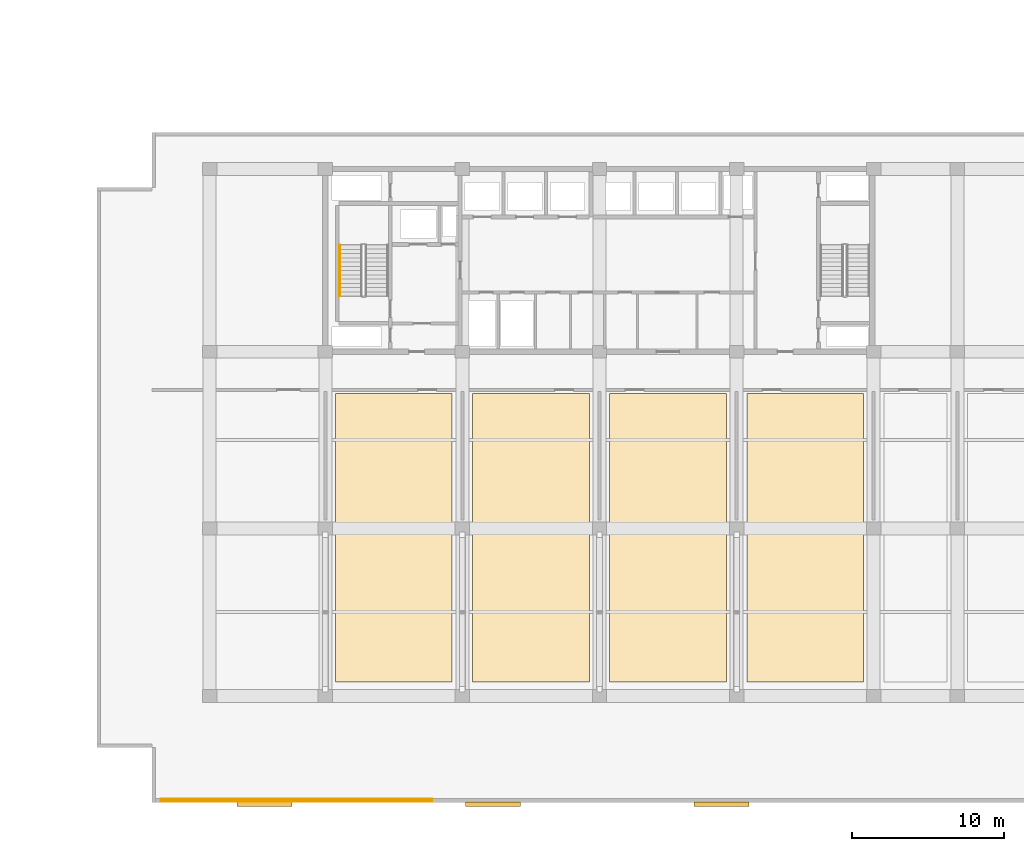
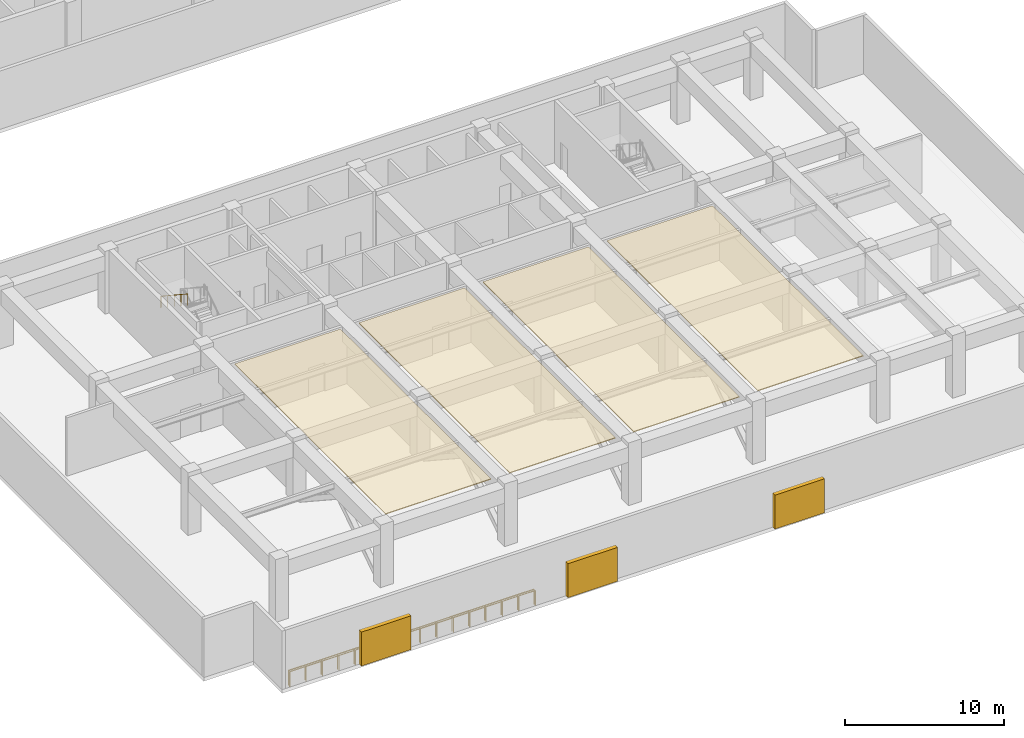
# One storey, part 15 of 21: 4 coverings, 3 railings, 3 shading devices.
"""IFC4 building model written with IfcOpenShell, lengths in metres."""

from ifc_helpers import new_model, si_unit, direction, frame, origin, origin_2d, place, context, subcontext, project, spatial, polyline, rectangle, circle, outline, extrude, material, layer, layer_set, type_object, element, save


model = new_model("IFC4")

# Units and contexts
model_context = context("Model", 3, precision=1e-05, world=origin(), true_north=direction((0.0, 1.0)))
body_context = subcontext(model_context, "Body", "Model", "MODEL_VIEW")
ifc_project = project(units=[si_unit("LENGTHUNIT", "METRE"), si_unit("AREAUNIT", "SQUARE_METRE"), si_unit("VOLUMEUNIT", "CUBIC_METRE"), si_unit("PLANEANGLEUNIT", "RADIAN"), si_unit("MASSUNIT", "GRAM", prefix="KILO")], contexts=[model_context])

# Site, building, storey
site_placement = place(None, origin())
site = spatial("IfcSite", under=ifc_project, at=site_placement, CompositionType="ELEMENT")
building_placement = place(site_placement, origin())
building = spatial("IfcBuilding", under=site, at=building_placement, Name="Korimba Cascade Residences", CompositionType="ELEMENT")
storey_placement = place(building_placement, frame((0.0, 0.0, 76.0)))
storey = spatial("IfcBuildingStorey", under=building, at=storey_placement, Name="L21", CompositionType="ELEMENT", Elevation=76.0)

# Coverings
ifc_material_1 = material(Name="Mineral Wool Thermal Acoustic Insulation", Category="insulation")
ifc_layer = layer(ifc_material_1, 0.06005859375)
ifc_layer_set = layer_set([ifc_layer], Name="Mineral Wool Thermal Acoustic Insulation")
covering_type = type_object("IfcCoveringType", Name="COV-INS-60", PredefinedType="INSULATION", material=ifc_layer_set)
covering_1_placement = place(storey_placement, frame((0.0, 0.0, 4.419921875)))
element("IfcCovering", 1, at=covering_1_placement, inside=storey, type_object=covering_type, Name="L21 Mineral Wool Acoustic Soffit Insulation L21-PL22", PredefinedType="INSULATION", context=body_context, shape_type="SweptSolid", body=[
    extrude(outline(polyline([(82.77001953125, -3.300048828125), (90.429931640625, -3.300048828125), (90.429931640625, 15.64990234375), (82.77001953125, 15.64990234375), (82.77001953125, -3.300048828125)])), origin(), (0.0, 0.0, 1.0), 0.06005859375),
])
covering_2_placement = place(storey_placement, frame((0.0, 0.0, 4.419921875)))
element("IfcCovering", 2, at=covering_2_placement, inside=storey, type_object=covering_type, Name="L21 Mineral Wool Acoustic Soffit Insulation L21-PL23", PredefinedType="INSULATION", context=body_context, shape_type="SweptSolid", body=[
    extrude(outline(polyline([(91.77001953125, -3.300048828125), (99.429931640625, -3.300048828125), (99.429931640625, 15.64990234375), (91.77001953125, 15.64990234375), (91.77001953125, -3.300048828125)])), origin(), (0.0, 0.0, 1.0), 0.06005859375),
])
covering_3_placement = place(storey_placement, frame((0.0, 0.0, 4.419921875)))
element("IfcCovering", 3, at=covering_3_placement, inside=storey, type_object=covering_type, Name="L21 Mineral Wool Acoustic Soffit Insulation L21-PL24", PredefinedType="INSULATION", context=body_context, shape_type="SweptSolid", body=[
    extrude(outline(polyline([(100.77001953125, -3.300048828125), (108.429931640625, -3.300048828125), (108.429931640625, 15.64990234375), (100.77001953125, 15.64990234375), (100.77001953125, -3.300048828125)])), origin(), (0.0, 0.0, 1.0), 0.06005859375),
])
covering_4_placement = place(storey_placement, frame((0.0, 0.0, 4.419921875)))
element("IfcCovering", 4, at=covering_4_placement, inside=storey, type_object=covering_type, Name="L21 Mineral Wool Acoustic Soffit Insulation L21-PL25", PredefinedType="INSULATION", context=body_context, shape_type="SweptSolid", body=[
    extrude(outline(polyline([(109.77001953125, -3.300048828125), (117.429931640625, -3.300048828125), (117.429931640625, 15.64990234375), (109.77001953125, 15.64990234375), (109.77001953125, -3.300048828125)])), origin(), (0.0, 0.0, 1.0), 0.06005859375),
])

# Railings
ifc_material_2 = material(Name="Brushed Stainless Steel Handrail", Category="steel")
railing_type_1 = type_object("IfcRailingType", Name="RLG-ST-HR900", PredefinedType="HANDRAIL", material=ifc_material_2)
railing_1_placement = place(storey_placement, frame((83.050048828125, 25.409912109375, 2.773193359375)))
element("IfcRailing", 5, at=railing_1_placement, inside=storey, type_object=railing_type_1, Name="L21 ST-E1 stair handrail 2", PredefinedType="HANDRAIL", context=body_context, shape_type="SweptSolid", body=[
    extrude(circle(Radius=0.02392578125, at=origin_2d()), frame((0.0, 0.0, 0.8759765625), z_axis=(0.0, -0.834858096282, 0.550465220583), x_axis=(1.0, 0.0, 0.0)), (0.0, 0.0, 1.0), 4.0244140625),
    extrude(circle(Radius=0.02099609375, at=origin_2d()), origin(), (0.0, 0.0, 1.0), 0.851806640625),
    extrude(circle(Radius=0.02099609375, at=origin_2d()), frame((0.0, -0.83984375, 0.5537109375)), (0.0, 0.0, 1.0), 0.851806640625),
    extrude(circle(Radius=0.02099609375, at=origin_2d()), frame((0.0, -1.679931640625, 1.107666015625)), (0.0, 0.0, 1.0), 0.851806640625),
    extrude(circle(Radius=0.02099609375, at=origin_2d()), frame((0.0, -2.52001953125, 1.66162109375)), (0.0, 0.0, 1.0), 0.851806640625),
    extrude(circle(Radius=0.02099609375, at=origin_2d()), frame((0.0, -3.35986328125, 2.21533203125)), (0.0, 0.0, 1.0), 0.851806640625),
])
ifc_material_3 = material(Name="Painted Galvanised Steel Terrace Guardrail", Category="steel")
railing_type_2 = type_object("IfcRailingType", Name="RLG-TER-1150", PredefinedType="GUARDRAIL", material=ifc_material_3)
railing_2_placement = place(storey_placement, frame((71.300048828125, -10.969970703125, 0.0)))
element("IfcRailing", 6, at=railing_2_placement, inside=storey, type_object=railing_type_2, Name="L21 Perimeter Guardrail RLG-L21-T2-REF-01", PredefinedType="GUARDRAIL", context=body_context, shape_type="SweptSolid", body=[
    extrude(circle(Radius=0.02392578125, at=origin_2d()), frame((0.0, 0.0, 1.1259765625), z_axis=(1.0, 0.0, 0.0), x_axis=(0.0, 1.0, 0.0)), (0.0, 0.0, 1.0), 17.800048828125),
    extrude(circle(Radius=0.02099609375, at=origin_2d()), origin(), (0.0, 0.0, 1.0), 1.101806640625),
    extrude(circle(Radius=0.02099609375, at=origin_2d()), frame((1.186767578125, 0.0, 0.0)), (0.0, 0.0, 1.0), 1.101806640625),
    extrude(circle(Radius=0.02099609375, at=origin_2d()), frame((2.373291015625, 0.0, 0.0)), (0.0, 0.0, 1.0), 1.101806640625),
    extrude(circle(Radius=0.02099609375, at=origin_2d()), frame((3.56005859375, 0.0, 0.0)), (0.0, 0.0, 1.0), 1.101806640625),
    extrude(circle(Radius=0.02099609375, at=origin_2d()), frame((4.74658203125, 0.0, 0.0)), (0.0, 0.0, 1.0), 1.101806640625),
    extrude(circle(Radius=0.02099609375, at=origin_2d()), frame((5.933349609375, 0.0, 0.0)), (0.0, 0.0, 1.0), 1.101806640625),
    extrude(circle(Radius=0.02099609375, at=origin_2d()), frame((7.1201171875, 0.0, 0.0)), (0.0, 0.0, 1.0), 1.101806640625),
    extrude(circle(Radius=0.02099609375, at=origin_2d()), frame((8.306640625, 0.0, 0.0)), (0.0, 0.0, 1.0), 1.101806640625),
    extrude(circle(Radius=0.02099609375, at=origin_2d()), frame((9.493408203125, 0.0, 0.0)), (0.0, 0.0, 1.0), 1.101806640625),
    extrude(circle(Radius=0.02099609375, at=origin_2d()), frame((10.679931640625, 0.0, 0.0)), (0.0, 0.0, 1.0), 1.101806640625),
    extrude(circle(Radius=0.02099609375, at=origin_2d()), frame((11.86669921875, 0.0, 0.0)), (0.0, 0.0, 1.0), 1.101806640625),
    extrude(circle(Radius=0.02099609375, at=origin_2d()), frame((13.053466796875, 0.0, 0.0)), (0.0, 0.0, 1.0), 1.101806640625),
    extrude(circle(Radius=0.02099609375, at=origin_2d()), frame((14.239990234375, 0.0, 0.0)), (0.0, 0.0, 1.0), 1.101806640625),
    extrude(circle(Radius=0.02099609375, at=origin_2d()), frame((15.4267578125, 0.0, 0.0)), (0.0, 0.0, 1.0), 1.101806640625),
    extrude(circle(Radius=0.02099609375, at=origin_2d()), frame((16.61328125, 0.0, 0.0)), (0.0, 0.0, 1.0), 1.101806640625),
    extrude(circle(Radius=0.02099609375, at=origin_2d()), frame((17.800048828125, 0.0, 0.0)), (0.0, 0.0, 1.0), 1.101806640625),
])
railing_3_placement = place(storey_placement, frame((89.10009765625, -11.1298828125, 0.0)))
element("IfcRailing", 7, at=railing_3_placement, inside=storey, type_object=railing_type_2, Name="L21 Perimeter Guardrail RLG-L21-T2-REF-02", PredefinedType="GUARDRAIL", context=body_context, shape_type="SweptSolid", body=[
    extrude(circle(Radius=0.02392578125, at=origin_2d()), frame((0.0, 0.0, 1.1259765625), z_axis=(-1.0, 0.0, 0.0), x_axis=(0.0, -1.0, 0.0)), (0.0, 0.0, 1.0), 17.800048828125),
    extrude(circle(Radius=0.02099609375, at=origin_2d()), origin(), (0.0, 0.0, 1.0), 1.101806640625),
    extrude(circle(Radius=0.02099609375, at=origin_2d()), frame((-1.186767578125, 0.0, 0.0)), (0.0, 0.0, 1.0), 1.101806640625),
    extrude(circle(Radius=0.02099609375, at=origin_2d()), frame((-2.373291015625, 0.0, 0.0)), (0.0, 0.0, 1.0), 1.101806640625),
    extrude(circle(Radius=0.02099609375, at=origin_2d()), frame((-3.56005859375, 0.0, 0.0)), (0.0, 0.0, 1.0), 1.101806640625),
    extrude(circle(Radius=0.02099609375, at=origin_2d()), frame((-4.74658203125, 0.0, 0.0)), (0.0, 0.0, 1.0), 1.101806640625),
    extrude(circle(Radius=0.02099609375, at=origin_2d()), frame((-5.933349609375, 0.0, 0.0)), (0.0, 0.0, 1.0), 1.101806640625),
    extrude(circle(Radius=0.02099609375, at=origin_2d()), frame((-7.1201171875, 0.0, 0.0)), (0.0, 0.0, 1.0), 1.101806640625),
    extrude(circle(Radius=0.02099609375, at=origin_2d()), frame((-8.306640625, 0.0, 0.0)), (0.0, 0.0, 1.0), 1.101806640625),
    extrude(circle(Radius=0.02099609375, at=origin_2d()), frame((-9.493408203125, 0.0, 0.0)), (0.0, 0.0, 1.0), 1.101806640625),
    extrude(circle(Radius=0.02099609375, at=origin_2d()), frame((-10.679931640625, 0.0, 0.0)), (0.0, 0.0, 1.0), 1.101806640625),
    extrude(circle(Radius=0.02099609375, at=origin_2d()), frame((-11.86669921875, 0.0, 0.0)), (0.0, 0.0, 1.0), 1.101806640625),
    extrude(circle(Radius=0.02099609375, at=origin_2d()), frame((-13.053466796875, 0.0, 0.0)), (0.0, 0.0, 1.0), 1.101806640625),
    extrude(circle(Radius=0.02099609375, at=origin_2d()), frame((-14.239990234375, 0.0, 0.0)), (0.0, 0.0, 1.0), 1.101806640625),
    extrude(circle(Radius=0.02099609375, at=origin_2d()), frame((-15.4267578125, 0.0, 0.0)), (0.0, 0.0, 1.0), 1.101806640625),
    extrude(circle(Radius=0.02099609375, at=origin_2d()), frame((-16.61328125, 0.0, 0.0)), (0.0, 0.0, 1.0), 1.101806640625),
    extrude(circle(Radius=0.02099609375, at=origin_2d()), frame((-17.800048828125, 0.0, 0.0)), (0.0, 0.0, 1.0), 1.101806640625),
])

# Shading devices
ifc_material_4 = material(Name="Powder-Coated Bronze Acoustic Louvre Bank", Category="aluminium")
shading_device_type = type_object("IfcShadingDeviceType", Name="SHD-LVR-300", PredefinedType="USERDEFINED", material=ifc_material_4)
for number, where, z_axis, x_axis, name in (
    (8, (78.10009765625, -11.300048828125, 0.0), (0.0, 0.0, 1.0), (1.0, 0.0, 0.0), "L21 T2 Plant Acoustic Louvre 1"),
    (9, (93.10009765625, -11.300048828125, 0.0), (0.0, 0.0, 1.0), (1.0, 0.0, 0.0), "L21 T2 Plant Acoustic Louvre 2"),
    (10, (108.10009765625, -11.300048828125, 0.0), (0.0, 0.0, 1.0), (1.0, 0.0, 0.0), "L21 T2 Plant Acoustic Louvre 3"),
):
    element("IfcShadingDevice", number, at=place(storey_placement, frame(where, z_axis=z_axis, x_axis=x_axis)), inside=storey, type_object=shading_device_type, Name=name, ObjectType="LOUVRE", PredefinedType="USERDEFINED", context=body_context, shape_type="SweptSolid", body=[
        extrude(rectangle(XDim=3.60009765625, YDim=0.300048828125, at=origin_2d()), origin(), (0.0, 0.0, 1.0), 2.60009765625),
    ])

save(model, "model.ifc")
